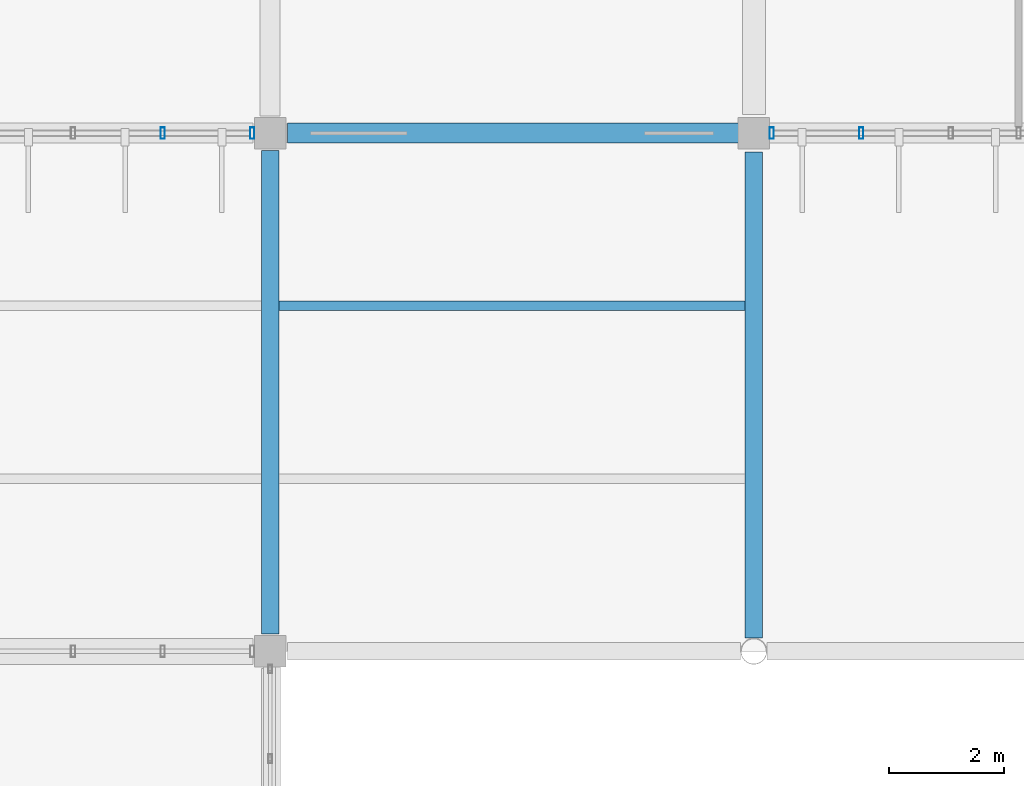
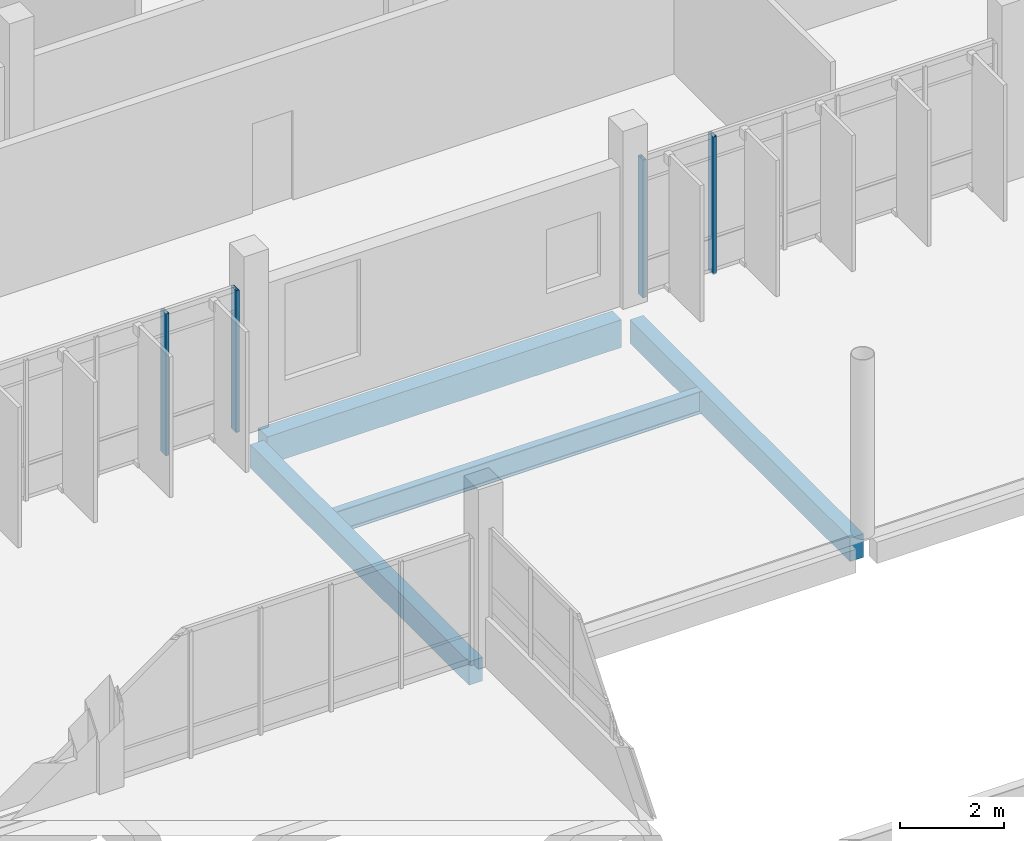
# One storey, part 67 of 130: 4 beams, 4 members, 2 elements without a shape of their own.
"""IFC4 building model written with IfcOpenShell, lengths in metres."""

from ifc_helpers import new_model, si_unit, direction, frame, origin, origin_2d, place, context, subcontext, project, spatial, rectangle, hollow_rectangle, i_section, extrude, material, layer, layer_set, material_profile, profile_set, type_object, element, aggregate, save


model = new_model("IFC4")

# Units and contexts
model_context = context("Model", 3, precision=1e-05, world=origin(), true_north=direction((0.0, 1.0)))
body_context = subcontext(model_context, "Body", "Model", "MODEL_VIEW")
ifc_project = project(units=[si_unit("LENGTHUNIT", "METRE"), si_unit("AREAUNIT", "SQUARE_METRE"), si_unit("VOLUMEUNIT", "CUBIC_METRE"), si_unit("PLANEANGLEUNIT", "RADIAN"), si_unit("MASSUNIT", "GRAM", prefix="KILO")], contexts=[model_context])

# Site, building, storey
site_placement = place(None, origin())
site = spatial("IfcSite", under=ifc_project, at=site_placement, CompositionType="ELEMENT")
building_placement = place(site_placement, origin())
building = spatial("IfcBuilding", under=site, at=building_placement, Name="Vireocrest Preparatory School", CompositionType="ELEMENT")
storey_placement = place(building_placement, frame((0.0, 0.0, 9.0)))
storey = spatial("IfcBuildingStorey", under=building, at=storey_placement, Name="L02", CompositionType="ELEMENT", Elevation=9.0)

# Curtain wall, members
ifc_material_1 = material(Name="Thermally broken aluminium EN AW-6063-T6", Category="aluminium")
ifc_layer_1 = layer(ifc_material_1, 0.179931640625)
ifc_layer_set_1 = layer_set([ifc_layer_1], Name="Thermally broken aluminium EN AW-6063-T6")
curtain_wall_type_1 = type_object("IfcCurtainWallType", Name="North Street Curtain Wall 8400x4000", PredefinedType="USERDEFINED", material=ifc_layer_set_1)
curtain_wall_1_placement = place(storey_placement, origin())
curtain_wall_1 = element("IfcCurtainWall", 1, at=curtain_wall_1_placement, inside=storey, type_object=curtain_wall_type_1, Name="Curtain Wall CW05 CW_L02_CW05_0590_0948_090", ObjectType="CURTAIN WALL", PredefinedType="USERDEFINED")
ifc_material_profile_1 = material_profile(ifc_material_1, hollow_rectangle(XDim=0.074951171875, YDim=0.199951171875, WallThickness=0.0048828125, at=origin_2d()), Name="ALU 75x200x5")
ifc_profile_set_1 = profile_set([ifc_material_profile_1], Name="Thermally broken aluminium EN AW-6063-T6")
member_type = type_object("IfcMemberType", Name="CW Mullion 75x200x5", PredefinedType="MULLION", material=ifc_profile_set_1)
member_1_placement = place(storey_placement, frame((65.333984375, 94.800048828125, 0.0), z_axis=(0.0, 0.0, 1.0), x_axis=(1.0, 0.0, 0.0)))
member_1 = element("IfcMember", 2, at=member_1_placement, type_object=member_type, Name="CW Mullion ML3 CW_L02_CW05_0590_0948_090-5", PredefinedType="MULLION", context=body_context, shape_type="SweptSolid", body=[
    extrude(hollow_rectangle(XDim=0.074951171875, YDim=0.199951171875, WallThickness=0.0048828125, at=origin_2d()), origin(), (0.0, 0.0, 1.0), 3.324951171875),
])
member_2_placement = place(storey_placement, frame((66.889892578125, 94.800048828125, 0.0), z_axis=(0.0, 0.0, 1.0), x_axis=(1.0, 0.0, 0.0)))
member_2 = element("IfcMember", 3, at=member_2_placement, type_object=member_type, Name="CW Mullion ML3 CW_L02_CW05_0590_0948_090-6", PredefinedType="MULLION", context=body_context, shape_type="SweptSolid", body=[
    extrude(hollow_rectangle(XDim=0.074951171875, YDim=0.199951171875, WallThickness=0.0048828125, at=origin_2d()), origin(), (0.0, 0.0, 1.0), 3.324951171875),
])
aggregate(curtain_wall_1, [member_1, member_2])

ifc_layer_2 = layer(ifc_material_1, 0.179931640625)
ifc_layer_set_2 = layer_set([ifc_layer_2], Name="Thermally broken aluminium EN AW-6063-T6")
curtain_wall_type_2 = type_object("IfcCurtainWallType", Name="Side Facade Curtain Wall 9000x4200", PredefinedType="USERDEFINED", material=ifc_layer_set_2)
curtain_wall_2_placement = place(storey_placement, origin())
curtain_wall_2 = element("IfcCurtainWall", 4, at=curtain_wall_2_placement, inside=storey, type_object=curtain_wall_type_2, Name="Curtain Wall CW07 CW_L02_CW07_0758_0948_090", ObjectType="CURTAIN WALL", PredefinedType="USERDEFINED")
member_3_placement = place(storey_placement, frame((75.909912109375, 94.800048828125, 0.0), z_axis=(0.0, 0.0, 1.0), x_axis=(1.0, 0.0, 0.0)))
member_3 = element("IfcMember", 5, at=member_3_placement, type_object=member_type, Name="CW Mullion ML3 CW_L02_CW07_0758_0948_090-1", PredefinedType="MULLION", context=body_context, shape_type="SweptSolid", body=[
    extrude(hollow_rectangle(XDim=0.074951171875, YDim=0.199951171875, WallThickness=0.0048828125, at=origin_2d()), origin(), (0.0, 0.0, 1.0), 3.22509765625),
])
member_4_placement = place(storey_placement, frame((77.466064453125, 94.800048828125, 0.0), z_axis=(0.0, 0.0, 1.0), x_axis=(1.0, 0.0, 0.0)))
member_4 = element("IfcMember", 6, at=member_4_placement, type_object=member_type, Name="CW Mullion ML3 CW_L02_CW07_0758_0948_090-2", PredefinedType="MULLION", context=body_context, shape_type="SweptSolid", body=[
    extrude(hollow_rectangle(XDim=0.074951171875, YDim=0.199951171875, WallThickness=0.0048828125, at=origin_2d()), origin(), (0.0, 0.0, 1.0), 3.22509765625),
])
aggregate(curtain_wall_2, [member_3, member_4])

# Beams
ifc_material_2 = material(Name="Structural steel ASTM A992 Grade 50", Category="steel")
ifc_material_profile_2 = material_profile(ifc_material_2, i_section(OverallWidth=0.166015625, OverallDepth=0.529052734375, WebThickness=0.009765625, FlangeThickness=0.013671875, FilletRadius=0.014892578125, at=origin_2d()), Name="W21X50")
ifc_profile_set_2 = profile_set([ifc_material_profile_2], Name="Structural steel ASTM A992 Grade 50")
beam_type_1 = type_object("IfcBeamType", Name="Pavilion Roof Joist W21X50", PredefinedType="JOIST", material=ifc_profile_set_2)
beam_1_placement = place(storey_placement, frame((67.35009765625, 91.800048828125, -0.484619140625), z_axis=(1.0, 0.0, 0.0), x_axis=(0.0, 1.0, 0.0)))
element("IfcBeam", 7, at=beam_1_placement, inside=storey, type_object=beam_type_1, Name="Secondary Joist SJ1 L02-0947", PredefinedType="JOIST", context=body_context, shape_type="SweptSolid", body=[
    extrude(i_section(OverallWidth=0.166015625, OverallDepth=0.529052734375, WebThickness=0.009765625, FlangeThickness=0.013671875, FilletRadius=0.014892578125, at=origin_2d()), origin(), (0.0, 0.0, 1.0), 8.099853515625),
])
ifc_material_3 = material(Name="Concrete 40 MPa", Category="concrete")
ifc_material_profile_3 = material_profile(ifc_material_3, rectangle(XDim=0.35009765625, YDim=0.64990234375, at=origin_2d()), Name="RC 350x650")
ifc_profile_set_3 = profile_set([ifc_material_profile_3], Name="Concrete 40 MPa")
beam_type_2 = type_object("IfcBeamType", Name="RC Classroom Girder 350x650", PredefinedType="BEAM", material=ifc_profile_set_3)
beam_2_placement = place(storey_placement, frame((67.5, 94.800048828125, -0.60498046875), z_axis=(1.0, 0.0, 0.0), x_axis=(0.0, 1.0, 0.0)))
element("IfcBeam", 8, at=beam_2_placement, inside=storey, type_object=beam_type_2, Name="Primary Girder B05 L02-0759", PredefinedType="BEAM", context=body_context, shape_type="SweptSolid", body=[
    extrude(rectangle(XDim=0.35009765625, YDim=0.64990234375, at=origin_2d()), origin(), (0.0, 0.0, 1.0), 7.85009765625),
])
ifc_material_profile_4 = material_profile(ifc_material_3, rectangle(XDim=0.300048828125, YDim=0.550048828125, at=origin_2d()), Name="RC 300x550")
ifc_profile_set_4 = profile_set([ifc_material_profile_4], Name="Concrete 40 MPa")
beam_type_3 = type_object("IfcBeamType", Name="RC Roof Girder 300x550", PredefinedType="BEAM", material=ifc_profile_set_4)
beam_3_placement = place(storey_placement, frame((67.199951171875, 86.10009765625, -0.4951171875), z_axis=(0.0, 1.0, 0.0), x_axis=(-1.0, 0.0, 0.0)))
element("IfcBeam", 9, at=beam_3_placement, inside=storey, type_object=beam_type_3, Name="Primary Girder B02 L02-0825", PredefinedType="BEAM", context=body_context, shape_type="SweptSolid", body=[
    extrude(rectangle(XDim=0.300048828125, YDim=0.550048828125, at=origin_2d()), origin(), (0.0, 0.0, 1.0), 8.39990234375),
])
beam_4_placement = place(storey_placement, frame((75.60009765625, 86.028564453125, -0.4951171875), z_axis=(0.0, 1.0, 0.0), x_axis=(-1.0, 0.0, 0.0)))
element("IfcBeam", 10, at=beam_4_placement, inside=storey, type_object=beam_type_3, Name="Primary Girder B02 L02-0829", PredefinedType="BEAM", context=body_context, shape_type="SweptSolid", body=[
    extrude(rectangle(XDim=0.300048828125, YDim=0.550048828125, at=origin_2d()), origin(), (0.0, 0.0, 1.0), 8.446533203125),
])

save(model, "model.ifc")
